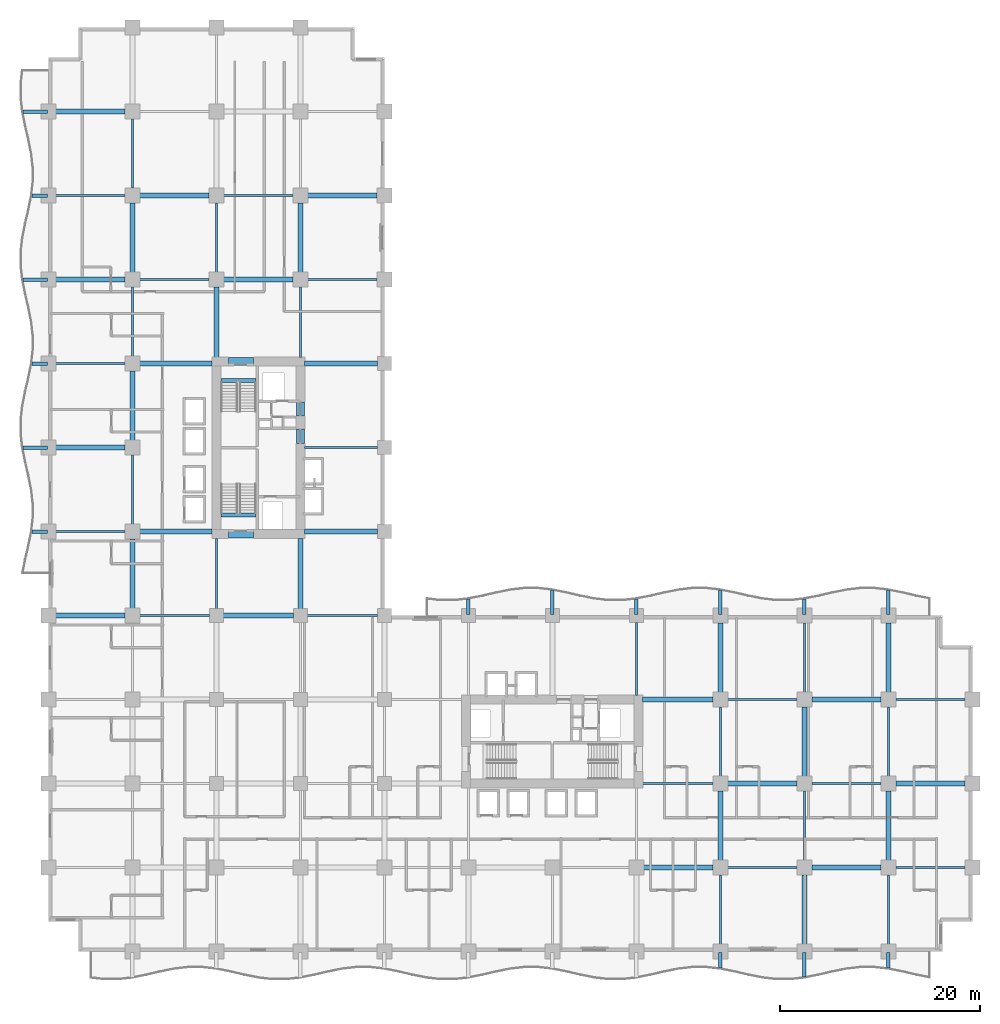
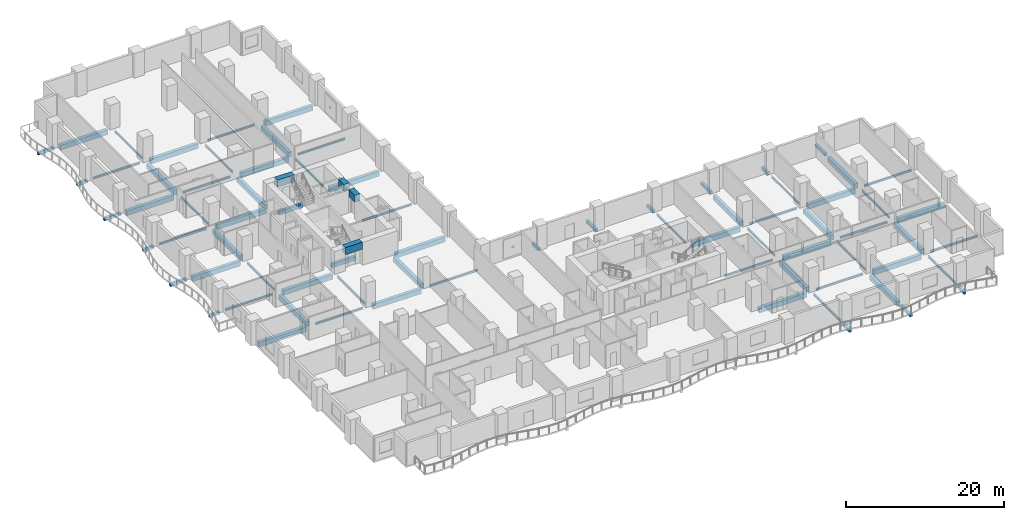
# One storey, part 2 of 22: 79 beams.
"""IFC4 building model written with IfcOpenShell, lengths in metres."""

from ifc_helpers import new_model, si_unit, direction, frame, origin, origin_2d, place, context, subcontext, project, spatial, rectangle, i_section, extrude, material, material_profile, profile_set, type_object, element, save


model = new_model("IFC4")

# Units and contexts
model_context = context("Model", 3, precision=1e-05, world=origin(), true_north=direction((0.0, 1.0)))
body_context = subcontext(model_context, "Body", "Model", "MODEL_VIEW")
ifc_project = project(units=[si_unit("LENGTHUNIT", "METRE"), si_unit("AREAUNIT", "SQUARE_METRE"), si_unit("VOLUMEUNIT", "CUBIC_METRE"), si_unit("PLANEANGLEUNIT", "RADIAN"), si_unit("MASSUNIT", "GRAM", prefix="KILO")], contexts=[model_context])

# Site, building, storey
site_placement = place(None, origin())
site = spatial("IfcSite", under=ifc_project, at=site_placement, CompositionType="ELEMENT")
building_placement = place(site_placement, origin())
building = spatial("IfcBuilding", under=site, at=building_placement, Name="Koriwani Terraces Tower", CompositionType="ELEMENT")
storey_placement = place(building_placement, frame((0.0, 0.0, 51.0)))
storey = spatial("IfcBuildingStorey", under=building, at=storey_placement, Name="L11", CompositionType="ELEMENT", Elevation=51.0)

# Beams
ifc_material_1 = material(Name="Concrete C40/50", Category="concrete")
ifc_material_profile_1 = material_profile(ifc_material_1, rectangle(XDim=0.35009765625, YDim=0.449951171875, at=origin_2d()), Name="Concrete C40/50", Category="LoadBearing")
ifc_profile_set_1 = profile_set([ifc_material_profile_1], Name="Concrete C40/50")
beam_type_1 = type_object("IfcBeamType", Name="BEAM_RC_BALCONY_RIB_350X450", PredefinedType="JOIST", material=ifc_profile_set_1)
beam_1_placement = place(storey_placement, frame((67.199951171875, -1.633056640625, -0.47509765625), z_axis=(0.0, 1.0, 0.0), x_axis=(-1.0, 0.0, 0.0)))
element("IfcBeam", 1, at=beam_1_placement, inside=storey, type_object=beam_type_1, Name="L11 Balcony Bracket Rib S-8", PredefinedType="JOIST", context=body_context, shape_type="SweptSolid", body=[
    extrude(rectangle(XDim=0.35009765625, YDim=0.449951171875, at=origin_2d()), origin(), (0.0, 0.0, 1.0), 1.532958984375),
])
beam_2_placement = place(storey_placement, frame((75.60009765625, -2.516845703125, -0.47509765625), z_axis=(0.0, 1.0, 0.0), x_axis=(-1.0, 0.0, 0.0)))
element("IfcBeam", 2, at=beam_2_placement, inside=storey, type_object=beam_type_1, Name="L11 Balcony Bracket Rib S-9", PredefinedType="JOIST", context=body_context, shape_type="SweptSolid", body=[
    extrude(rectangle(XDim=0.35009765625, YDim=0.449951171875, at=origin_2d()), origin(), (0.0, 0.0, 1.0), 2.416748046875),
])
for number, where, z_axis, x_axis, name in (
    (3, (84.0, -1.633056640625, -0.47509765625), (0.0, 1.0, 0.0), (-1.0, 0.0, 0.0), "L11 Balcony Bracket Rib S-10"),
    (4, (-1.633056640625, 42.0, -0.47509765625), (1.0, 0.0, 0.0), (0.0, 1.0, 0.0), "L11 Balcony Bracket Rib W-1"),
):
    element("IfcBeam", number, at=place(storey_placement, frame(where, z_axis=z_axis, x_axis=x_axis)), inside=storey, type_object=beam_type_1, Name=name, PredefinedType="JOIST", context=body_context, shape_type="SweptSolid", body=[
        extrude(rectangle(XDim=0.35009765625, YDim=0.449951171875, at=origin_2d()), origin(), (0.0, 0.0, 1.0), 1.532958984375),
    ])
beam_3_placement = place(storey_placement, frame((-2.516845703125, 50.39990234375, -0.47509765625), z_axis=(1.0, 0.0, 0.0), x_axis=(0.0, 1.0, 0.0)))
element("IfcBeam", 5, at=beam_3_placement, inside=storey, type_object=beam_type_1, Name="L11 Balcony Bracket Rib W-2", PredefinedType="JOIST", context=body_context, shape_type="SweptSolid", body=[
    extrude(rectangle(XDim=0.35009765625, YDim=0.449951171875, at=origin_2d()), origin(), (0.0, 0.0, 1.0), 2.416748046875),
])
beam_4_placement = place(storey_placement, frame((-1.633056640625, 58.800048828125, -0.47509765625), z_axis=(1.0, 0.0, 0.0), x_axis=(0.0, 1.0, 0.0)))
element("IfcBeam", 6, at=beam_4_placement, inside=storey, type_object=beam_type_1, Name="L11 Balcony Bracket Rib W-3", PredefinedType="JOIST", context=body_context, shape_type="SweptSolid", body=[
    extrude(rectangle(XDim=0.35009765625, YDim=0.449951171875, at=origin_2d()), origin(), (0.0, 0.0, 1.0), 1.532958984375),
])
beam_5_placement = place(storey_placement, frame((-2.516845703125, 67.199951171875, -0.47509765625), z_axis=(1.0, 0.0, 0.0), x_axis=(0.0, 1.0, 0.0)))
element("IfcBeam", 7, at=beam_5_placement, inside=storey, type_object=beam_type_1, Name="L11 Balcony Bracket Rib W-4", PredefinedType="JOIST", context=body_context, shape_type="SweptSolid", body=[
    extrude(rectangle(XDim=0.35009765625, YDim=0.449951171875, at=origin_2d()), origin(), (0.0, 0.0, 1.0), 2.416748046875),
])
beam_6_placement = place(storey_placement, frame((-1.633056640625, 75.60009765625, -0.47509765625), z_axis=(1.0, 0.0, 0.0), x_axis=(0.0, 1.0, 0.0)))
element("IfcBeam", 8, at=beam_6_placement, inside=storey, type_object=beam_type_1, Name="L11 Balcony Bracket Rib W-5", PredefinedType="JOIST", context=body_context, shape_type="SweptSolid", body=[
    extrude(rectangle(XDim=0.35009765625, YDim=0.449951171875, at=origin_2d()), origin(), (0.0, 0.0, 1.0), 1.532958984375),
])
beam_7_placement = place(storey_placement, frame((-2.516845703125, 84.0, -0.47509765625), z_axis=(1.0, 0.0, 0.0), x_axis=(0.0, 1.0, 0.0)))
element("IfcBeam", 9, at=beam_7_placement, inside=storey, type_object=beam_type_1, Name="L11 Balcony Bracket Rib W-6", PredefinedType="JOIST", context=body_context, shape_type="SweptSolid", body=[
    extrude(rectangle(XDim=0.35009765625, YDim=0.449951171875, at=origin_2d()), origin(), (0.0, 0.0, 1.0), 2.416748046875),
])
beam_8_placement = place(storey_placement, frame((42.0, 33.699951171875, -0.47509765625), z_axis=(0.0, 1.0, 0.0), x_axis=(-1.0, 0.0, 0.0)))
element("IfcBeam", 10, at=beam_8_placement, inside=storey, type_object=beam_type_1, Name="L11 Balcony Bracket Rib NE-1", PredefinedType="JOIST", context=body_context, shape_type="SweptSolid", body=[
    extrude(rectangle(XDim=0.35009765625, YDim=0.449951171875, at=origin_2d()), origin(), (0.0, 0.0, 1.0), 1.533203125),
])
beam_9_placement = place(storey_placement, frame((50.39990234375, 33.699951171875, -0.47509765625), z_axis=(0.0, 1.0, 0.0), x_axis=(-1.0, 0.0, 0.0)))
element("IfcBeam", 11, at=beam_9_placement, inside=storey, type_object=beam_type_1, Name="L11 Balcony Bracket Rib NE-2", PredefinedType="JOIST", context=body_context, shape_type="SweptSolid", body=[
    extrude(rectangle(XDim=0.35009765625, YDim=0.449951171875, at=origin_2d()), origin(), (0.0, 0.0, 1.0), 2.4169921875),
])
beam_10_placement = place(storey_placement, frame((58.800048828125, 33.699951171875, -0.47509765625), z_axis=(0.0, 1.0, 0.0), x_axis=(-1.0, 0.0, 0.0)))
element("IfcBeam", 12, at=beam_10_placement, inside=storey, type_object=beam_type_1, Name="L11 Balcony Bracket Rib NE-3", PredefinedType="JOIST", context=body_context, shape_type="SweptSolid", body=[
    extrude(rectangle(XDim=0.35009765625, YDim=0.449951171875, at=origin_2d()), origin(), (0.0, 0.0, 1.0), 1.533203125),
])
beam_11_placement = place(storey_placement, frame((67.199951171875, 33.699951171875, -0.47509765625), z_axis=(0.0, 1.0, 0.0), x_axis=(-1.0, 0.0, 0.0)))
element("IfcBeam", 13, at=beam_11_placement, inside=storey, type_object=beam_type_1, Name="L11 Balcony Bracket Rib NE-4", PredefinedType="JOIST", context=body_context, shape_type="SweptSolid", body=[
    extrude(rectangle(XDim=0.35009765625, YDim=0.449951171875, at=origin_2d()), origin(), (0.0, 0.0, 1.0), 2.4169921875),
])
beam_12_placement = place(storey_placement, frame((75.60009765625, 33.699951171875, -0.47509765625), z_axis=(0.0, 1.0, 0.0), x_axis=(-1.0, 0.0, 0.0)))
element("IfcBeam", 14, at=beam_12_placement, inside=storey, type_object=beam_type_1, Name="L11 Balcony Bracket Rib NE-5", PredefinedType="JOIST", context=body_context, shape_type="SweptSolid", body=[
    extrude(rectangle(XDim=0.35009765625, YDim=0.449951171875, at=origin_2d()), origin(), (0.0, 0.0, 1.0), 1.533203125),
])
beam_13_placement = place(storey_placement, frame((84.0, 33.699951171875, -0.47509765625), z_axis=(0.0, 1.0, 0.0), x_axis=(-1.0, 0.0, 0.0)))
element("IfcBeam", 15, at=beam_13_placement, inside=storey, type_object=beam_type_1, Name="L11 Balcony Bracket Rib NE-6", PredefinedType="JOIST", context=body_context, shape_type="SweptSolid", body=[
    extrude(rectangle(XDim=0.35009765625, YDim=0.449951171875, at=origin_2d()), origin(), (0.0, 0.0, 1.0), 2.4169921875),
])
ifc_material_2 = material(Name="Concrete C60/75", Category="concrete")
ifc_material_profile_2 = material_profile(ifc_material_2, rectangle(XDim=0.800048828125, YDim=1.10009765625, at=origin_2d()), Name="Concrete C60/75", Category="LoadBearing")
ifc_profile_set_2 = profile_set([ifc_material_profile_2], Name="Concrete C60/75")
beam_type_2 = type_object("IfcBeamType", Name="BEAM_RC_COUPLING_800X1100", PredefinedType="LINTEL", material=ifc_profile_set_2)
beam_14_placement = place(storey_placement, frame((25.199951171875, 50.800048828125, 3.0), z_axis=(0.0, 1.0, 0.0), x_axis=(-1.0, 0.0, 0.0)))
element("IfcBeam", 16, at=beam_14_placement, inside=storey, type_object=beam_type_2, Name="L11 Core Coupling Lintel Beam WE1", PredefinedType="LINTEL", context=body_context, shape_type="SweptSolid", body=[
    extrude(rectangle(XDim=0.800048828125, YDim=1.10009765625, at=origin_2d()), origin(), (0.0, 0.0, 1.0), 1.47998046875),
])
beam_15_placement = place(storey_placement, frame((25.199951171875, 53.550048828125, 3.0), z_axis=(0.0, 1.0, 0.0), x_axis=(-1.0, 0.0, 0.0)))
element("IfcBeam", 17, at=beam_15_placement, inside=storey, type_object=beam_type_2, Name="L11 Core Coupling Lintel Beam WE2", PredefinedType="LINTEL", context=body_context, shape_type="SweptSolid", body=[
    extrude(rectangle(XDim=0.800048828125, YDim=1.10009765625, at=origin_2d()), origin(), (0.0, 0.0, 1.0), 1.39990234375),
])
for number, where, z_axis, x_axis, name in (
    (18, (18.0, 41.75, 3.0), (1.0, 0.0, 0.0), (0.0, 1.0, 0.0), "L11 Core Coupling Lintel Beam WS"),
    (19, (18.0, 59.0, 3.0), (1.0, 0.0, 0.0), (0.0, 1.0, 0.0), "L11 Core Coupling Lintel Beam WN"),
):
    element("IfcBeam", number, at=place(storey_placement, frame(where, z_axis=z_axis, x_axis=x_axis)), inside=storey, type_object=beam_type_2, Name=name, PredefinedType="LINTEL", context=body_context, shape_type="SweptSolid", body=[
        extrude(rectangle(XDim=0.800048828125, YDim=1.10009765625, at=origin_2d()), origin(), (0.0, 0.0, 1.0), 2.5),
    ])
ifc_material_profile_3 = material_profile(ifc_material_1, rectangle(XDim=0.39990234375, YDim=0.60009765625, at=origin_2d()), Name="Concrete C40/50", Category="LoadBearing")
ifc_profile_set_3 = profile_set([ifc_material_profile_3], Name="Concrete C40/50")
beam_type_3 = type_object("IfcBeamType", Name="BEAM_RC_GRID_400X600", PredefinedType="BEAM", material=ifc_profile_set_3)
for number, where, z_axis, x_axis, name in (
    (20, (17.25, 43.655029296875, -0.300048828125), (1.0, 0.0, 0.0), (0.0, 1.0, 0.0), "L11 Stairwell Header Trimmer Beam ST-W1"),
    (21, (17.25, 57.094970703125, -0.300048828125), (1.0, 0.0, 0.0), (0.0, 1.0, 0.0), "L11 Stairwell Header Trimmer Beam ST-W2"),
):
    element("IfcBeam", number, at=place(storey_placement, frame(where, z_axis=z_axis, x_axis=x_axis)), inside=storey, type_object=beam_type_3, Name=name, PredefinedType="BEAM", context=body_context, shape_type="SweptSolid", body=[
        extrude(rectangle(XDim=0.39990234375, YDim=0.60009765625, at=origin_2d()), origin(), (0.0, 0.0, 1.0), 3.5),
    ])
ifc_material_3 = material(Name="Concrete C50/60", Category="concrete")
ifc_material_profile_4 = material_profile(ifc_material_3, rectangle(XDim=0.5, YDim=0.75, at=origin_2d()), Name="Concrete C50/60", Category="LoadBearing")
ifc_profile_set_4 = profile_set([ifc_material_profile_4], Name="Concrete C50/60")
beam_type_4 = type_object("IfcBeamType", Name="BEAM_RC_GRID_500X750", PredefinedType="BEAM", material=ifc_profile_set_4)
for number, where, z_axis, x_axis, name in (
    (22, (59.530029296875, 8.39990234375, -0.625), (1.0, 0.0, 0.0), (0.0, 1.0, 0.0), "L11 Grid Beam B (58.8-67.2m)"),
    (23, (76.330078125, 8.39990234375, -0.625), (1.0, 0.0, 0.0), (0.0, 1.0, 0.0), "L11 Grid Beam B (75.6-84.0m)"),
):
    element("IfcBeam", number, at=place(storey_placement, frame(where, z_axis=z_axis, x_axis=x_axis)), inside=storey, type_object=beam_type_4, Name=name, PredefinedType="BEAM", context=body_context, shape_type="SweptSolid", body=[
        extrude(rectangle(XDim=0.5, YDim=0.75, at=origin_2d()), origin(), (0.0, 0.0, 1.0), 6.93994140625),
    ])
beam_16_placement = place(storey_placement, frame((67.929931640625, 16.800048828125, -0.625), z_axis=(1.0, 0.0, 0.0), x_axis=(0.0, 1.0, 0.0)))
element("IfcBeam", 24, at=beam_16_placement, inside=storey, type_object=beam_type_4, Name="L11 Grid Beam C (67.2-75.6m)", PredefinedType="BEAM", context=body_context, shape_type="SweptSolid", body=[
    extrude(rectangle(XDim=0.5, YDim=0.75, at=origin_2d()), origin(), (0.0, 0.0, 1.0), 6.940185546875),
])
beam_17_placement = place(storey_placement, frame((84.72998046875, 16.800048828125, -0.625), z_axis=(1.0, 0.0, 0.0), x_axis=(0.0, 1.0, 0.0)))
element("IfcBeam", 25, at=beam_17_placement, inside=storey, type_object=beam_type_4, Name="L11 Grid Beam C (84.0-92.4m)", PredefinedType="BEAM", context=body_context, shape_type="SweptSolid", body=[
    extrude(rectangle(XDim=0.5, YDim=0.75, at=origin_2d()), origin(), (0.0, 0.0, 1.0), 6.93994140625),
])
beam_18_placement = place(storey_placement, frame((59.429931640625, 25.199951171875, -0.625), z_axis=(1.0, 0.0, 0.0), x_axis=(0.0, 1.0, 0.0)))
element("IfcBeam", 26, at=beam_18_placement, inside=storey, type_object=beam_type_4, Name="L11 Grid Beam D (58.8-67.2m)", PredefinedType="BEAM", context=body_context, shape_type="SweptSolid", body=[
    extrude(rectangle(XDim=0.5, YDim=0.75, at=origin_2d()), origin(), (0.0, 0.0, 1.0), 7.0400390625),
])
for number, where, z_axis, x_axis, name in (
    (27, (76.330078125, 25.199951171875, -0.625), (1.0, 0.0, 0.0), (0.0, 1.0, 0.0), "L11 Grid Beam D (75.6-84.0m)"),
    (28, (0.72998046875, 33.60009765625, -0.625), (1.0, 0.0, 0.0), (0.0, 1.0, 0.0), "L11 Grid Beam E (0.0-8.4m)"),
):
    element("IfcBeam", number, at=place(storey_placement, frame(where, z_axis=z_axis, x_axis=x_axis)), inside=storey, type_object=beam_type_4, Name=name, PredefinedType="BEAM", context=body_context, shape_type="SweptSolid", body=[
        extrude(rectangle(XDim=0.5, YDim=0.75, at=origin_2d()), origin(), (0.0, 0.0, 1.0), 6.93994140625),
    ])
beam_19_placement = place(storey_placement, frame((17.47998046875, 33.60009765625, -0.625), z_axis=(1.0, 0.0, 0.0), x_axis=(0.0, 1.0, 0.0)))
element("IfcBeam", 29, at=beam_19_placement, inside=storey, type_object=beam_type_4, Name="L11 Grid Beam E (16.8-25.2m)", PredefinedType="BEAM", context=body_context, shape_type="SweptSolid", body=[
    extrude(rectangle(XDim=0.5, YDim=0.75, at=origin_2d()), origin(), (0.0, 0.0, 1.0), 7.0400390625),
])
beam_20_placement = place(storey_placement, frame((9.1298828125, 42.0, -0.625), z_axis=(1.0, 0.0, 0.0), x_axis=(0.0, 1.0, 0.0)))
element("IfcBeam", 30, at=beam_20_placement, inside=storey, type_object=beam_type_4, Name="L11 Grid Beam F (8.4-16.8m)", PredefinedType="BEAM", context=body_context, shape_type="SweptSolid", body=[
    extrude(rectangle(XDim=0.5, YDim=0.75, at=origin_2d()), origin(), (0.0, 0.0, 1.0), 7.240234375),
])
beam_21_placement = place(storey_placement, frame((25.6298828125, 42.0, -0.625), z_axis=(1.0, 0.0, 0.0), x_axis=(0.0, 1.0, 0.0)))
element("IfcBeam", 31, at=beam_21_placement, inside=storey, type_object=beam_type_4, Name="L11 Grid Beam F (25.2-33.6m)", PredefinedType="BEAM", context=body_context, shape_type="SweptSolid", body=[
    extrude(rectangle(XDim=0.5, YDim=0.75, at=origin_2d()), origin(), (0.0, 0.0, 1.0), 7.2900390625),
])
beam_22_placement = place(storey_placement, frame((0.72998046875, 50.39990234375, -0.625), z_axis=(1.0, 0.0, 0.0), x_axis=(0.0, 1.0, 0.0)))
element("IfcBeam", 32, at=beam_22_placement, inside=storey, type_object=beam_type_4, Name="L11 Grid Beam G (0.0-8.4m)", PredefinedType="BEAM", context=body_context, shape_type="SweptSolid", body=[
    extrude(rectangle(XDim=0.5, YDim=0.75, at=origin_2d()), origin(), (0.0, 0.0, 1.0), 6.93994140625),
])
beam_23_placement = place(storey_placement, frame((9.1298828125, 58.800048828125, -0.625), z_axis=(1.0, 0.0, 0.0), x_axis=(0.0, 1.0, 0.0)))
element("IfcBeam", 33, at=beam_23_placement, inside=storey, type_object=beam_type_4, Name="L11 Grid Beam H (8.4-16.8m)", PredefinedType="BEAM", context=body_context, shape_type="SweptSolid", body=[
    extrude(rectangle(XDim=0.5, YDim=0.75, at=origin_2d()), origin(), (0.0, 0.0, 1.0), 7.240234375),
])
beam_24_placement = place(storey_placement, frame((25.6298828125, 58.800048828125, -0.625), z_axis=(1.0, 0.0, 0.0), x_axis=(0.0, 1.0, 0.0)))
element("IfcBeam", 34, at=beam_24_placement, inside=storey, type_object=beam_type_4, Name="L11 Grid Beam H (25.2-33.6m)", PredefinedType="BEAM", context=body_context, shape_type="SweptSolid", body=[
    extrude(rectangle(XDim=0.5, YDim=0.75, at=origin_2d()), origin(), (0.0, 0.0, 1.0), 7.2900390625),
])
for number, where, z_axis, x_axis, name in (
    (35, (0.72998046875, 67.199951171875, -0.625), (1.0, 0.0, 0.0), (0.0, 1.0, 0.0), "L11 Grid Beam I (0.0-8.4m)"),
    (36, (17.530029296875, 67.199951171875, -0.625), (1.0, 0.0, 0.0), (0.0, 1.0, 0.0), "L11 Grid Beam I (16.8-25.2m)"),
):
    element("IfcBeam", number, at=place(storey_placement, frame(where, z_axis=z_axis, x_axis=x_axis)), inside=storey, type_object=beam_type_4, Name=name, PredefinedType="BEAM", context=body_context, shape_type="SweptSolid", body=[
        extrude(rectangle(XDim=0.5, YDim=0.75, at=origin_2d()), origin(), (0.0, 0.0, 1.0), 6.93994140625),
    ])
for number, where, z_axis, x_axis, name in (
    (37, (9.1298828125, 75.60009765625, -0.625), (1.0, 0.0, 0.0), (0.0, 1.0, 0.0), "L11 Grid Beam J (8.4-16.8m)"),
    (38, (25.929931640625, 75.60009765625, -0.625), (1.0, 0.0, 0.0), (0.0, 1.0, 0.0), "L11 Grid Beam J (25.2-33.6m)"),
):
    element("IfcBeam", number, at=place(storey_placement, frame(where, z_axis=z_axis, x_axis=x_axis)), inside=storey, type_object=beam_type_4, Name=name, PredefinedType="BEAM", context=body_context, shape_type="SweptSolid", body=[
        extrude(rectangle(XDim=0.5, YDim=0.75, at=origin_2d()), origin(), (0.0, 0.0, 1.0), 6.940185546875),
    ])
for number, where, z_axis, x_axis, name in (
    (39, (0.72998046875, 84.0, -0.625), (1.0, 0.0, 0.0), (0.0, 1.0, 0.0), "L11 Grid Beam K (0.0-8.4m)"),
    (40, (8.39990234375, 34.330078125, -0.625), (0.0, 1.0, 0.0), (-1.0, 0.0, 0.0), "L11 Grid Beam 2 (33.6-42.0m)"),
):
    element("IfcBeam", number, at=place(storey_placement, frame(where, z_axis=z_axis, x_axis=x_axis)), inside=storey, type_object=beam_type_4, Name=name, PredefinedType="BEAM", context=body_context, shape_type="SweptSolid", body=[
        extrude(rectangle(XDim=0.5, YDim=0.75, at=origin_2d()), origin(), (0.0, 0.0, 1.0), 6.93994140625),
    ])
for number, where, z_axis, x_axis, name in (
    (41, (8.39990234375, 51.1298828125, -0.625), (0.0, 1.0, 0.0), (-1.0, 0.0, 0.0), "L11 Grid Beam 2 (50.4-58.8m)"),
    (42, (8.39990234375, 67.929931640625, -0.625), (0.0, 1.0, 0.0), (-1.0, 0.0, 0.0), "L11 Grid Beam 2 (67.2-75.6m)"),
):
    element("IfcBeam", number, at=place(storey_placement, frame(where, z_axis=z_axis, x_axis=x_axis)), inside=storey, type_object=beam_type_4, Name=name, PredefinedType="BEAM", context=body_context, shape_type="SweptSolid", body=[
        extrude(rectangle(XDim=0.5, YDim=0.75, at=origin_2d()), origin(), (0.0, 0.0, 1.0), 6.940185546875),
    ])
for number, where, z_axis, x_axis, name in (
    (43, (16.800048828125, 59.429931640625, -0.625), (0.0, 1.0, 0.0), (-1.0, 0.0, 0.0), "L11 Grid Beam 3 (58.8-67.2m)"),
    (44, (25.199951171875, 34.280029296875, -0.625), (0.0, 1.0, 0.0), (-1.0, 0.0, 0.0), "L11 Grid Beam 4 (33.6-42.0m)"),
):
    element("IfcBeam", number, at=place(storey_placement, frame(where, z_axis=z_axis, x_axis=x_axis)), inside=storey, type_object=beam_type_4, Name=name, PredefinedType="BEAM", context=body_context, shape_type="SweptSolid", body=[
        extrude(rectangle(XDim=0.5, YDim=0.75, at=origin_2d()), origin(), (0.0, 0.0, 1.0), 7.0400390625),
    ])
for number, where, z_axis, x_axis, name in (
    (45, (25.199951171875, 67.929931640625, -0.625), (0.0, 1.0, 0.0), (-1.0, 0.0, 0.0), "L11 Grid Beam 4 (67.2-75.6m)"),
    (46, (67.199951171875, 9.1298828125, -0.625), (0.0, 1.0, 0.0), (-1.0, 0.0, 0.0), "L11 Grid Beam 9 (8.4-16.8m)"),
    (47, (67.199951171875, 25.929931640625, -0.625), (0.0, 1.0, 0.0), (-1.0, 0.0, 0.0), "L11 Grid Beam 9 (25.2-33.6m)"),
):
    element("IfcBeam", number, at=place(storey_placement, frame(where, z_axis=z_axis, x_axis=x_axis)), inside=storey, type_object=beam_type_4, Name=name, PredefinedType="BEAM", context=body_context, shape_type="SweptSolid", body=[
        extrude(rectangle(XDim=0.5, YDim=0.75, at=origin_2d()), origin(), (0.0, 0.0, 1.0), 6.940185546875),
    ])
for number, where, z_axis, x_axis, name in (
    (48, (75.60009765625, 0.72998046875, -0.625), (0.0, 1.0, 0.0), (-1.0, 0.0, 0.0), "L11 Grid Beam 10 (0.0-8.4m)"),
    (49, (75.60009765625, 17.530029296875, -0.625), (0.0, 1.0, 0.0), (-1.0, 0.0, 0.0), "L11 Grid Beam 10 (16.8-25.2m)"),
):
    element("IfcBeam", number, at=place(storey_placement, frame(where, z_axis=z_axis, x_axis=x_axis)), inside=storey, type_object=beam_type_4, Name=name, PredefinedType="BEAM", context=body_context, shape_type="SweptSolid", body=[
        extrude(rectangle(XDim=0.5, YDim=0.75, at=origin_2d()), origin(), (0.0, 0.0, 1.0), 6.93994140625),
    ])
for number, where, z_axis, x_axis, name in (
    (50, (84.0, 9.1298828125, -0.625), (0.0, 1.0, 0.0), (-1.0, 0.0, 0.0), "L11 Grid Beam 11 (8.4-16.8m)"),
    (51, (84.0, 25.929931640625, -0.625), (0.0, 1.0, 0.0), (-1.0, 0.0, 0.0), "L11 Grid Beam 11 (25.2-33.6m)"),
):
    element("IfcBeam", number, at=place(storey_placement, frame(where, z_axis=z_axis, x_axis=x_axis)), inside=storey, type_object=beam_type_4, Name=name, PredefinedType="BEAM", context=body_context, shape_type="SweptSolid", body=[
        extrude(rectangle(XDim=0.5, YDim=0.75, at=origin_2d()), origin(), (0.0, 0.0, 1.0), 6.940185546875),
    ])
ifc_material_4 = material(Name="Steel ASTM A572 Grade 50", Category="steel")
ifc_material_profile_5 = material_profile(ifc_material_4, i_section(OverallWidth=0.205078125, OverallDepth=0.31005859375, WebThickness=0.009521484375, FlangeThickness=0.016357421875, at=origin_2d()), Name="Steel ASTM A572 Grade 50", Category="LoadBearing")
ifc_profile_set_5 = profile_set([ifc_material_profile_5], Name="Steel ASTM A572 Grade 50")
beam_type_5 = type_object("IfcBeamType", Name="STEEL_BEAM_W310X74", PredefinedType="JOIST", material=ifc_profile_set_5)
beam_25_placement = place(storey_placement, frame((67.929931640625, 8.39990234375, -0.405029296875), z_axis=(1.0, 0.0, 0.0), x_axis=(0.0, 1.0, 0.0)))
element("IfcBeam", 52, at=beam_25_placement, inside=storey, type_object=beam_type_5, Name="L11 Grid Beam B (67.2-75.6m)", PredefinedType="JOIST", context=body_context, shape_type="SweptSolid", body=[
    extrude(i_section(OverallWidth=0.205078125, OverallDepth=0.31005859375, WebThickness=0.009521484375, FlangeThickness=0.016357421875, at=origin_2d()), origin(), (0.0, 0.0, 1.0), 6.940185546875),
])
beam_26_placement = place(storey_placement, frame((84.72998046875, 8.39990234375, -0.405029296875), z_axis=(1.0, 0.0, 0.0), x_axis=(0.0, 1.0, 0.0)))
element("IfcBeam", 53, at=beam_26_placement, inside=storey, type_object=beam_type_5, Name="L11 Grid Beam B (84.0-92.4m)", PredefinedType="JOIST", context=body_context, shape_type="SweptSolid", body=[
    extrude(i_section(OverallWidth=0.205078125, OverallDepth=0.31005859375, WebThickness=0.009521484375, FlangeThickness=0.016357421875, at=origin_2d()), origin(), (0.0, 0.0, 1.0), 6.93994140625),
])
beam_27_placement = place(storey_placement, frame((59.429931640625, 16.800048828125, -0.405029296875), z_axis=(1.0, 0.0, 0.0), x_axis=(0.0, 1.0, 0.0)))
element("IfcBeam", 54, at=beam_27_placement, inside=storey, type_object=beam_type_5, Name="L11 Grid Beam C (58.8-67.2m)", PredefinedType="JOIST", context=body_context, shape_type="SweptSolid", body=[
    extrude(i_section(OverallWidth=0.205078125, OverallDepth=0.31005859375, WebThickness=0.009521484375, FlangeThickness=0.016357421875, at=origin_2d()), origin(), (0.0, 0.0, 1.0), 7.0400390625),
])
beam_28_placement = place(storey_placement, frame((76.330078125, 16.800048828125, -0.405029296875), z_axis=(1.0, 0.0, 0.0), x_axis=(0.0, 1.0, 0.0)))
element("IfcBeam", 55, at=beam_28_placement, inside=storey, type_object=beam_type_5, Name="L11 Grid Beam C (75.6-84.0m)", PredefinedType="JOIST", context=body_context, shape_type="SweptSolid", body=[
    extrude(i_section(OverallWidth=0.205078125, OverallDepth=0.31005859375, WebThickness=0.009521484375, FlangeThickness=0.016357421875, at=origin_2d()), origin(), (0.0, 0.0, 1.0), 6.93994140625),
])
beam_29_placement = place(storey_placement, frame((67.929931640625, 25.199951171875, -0.405029296875), z_axis=(1.0, 0.0, 0.0), x_axis=(0.0, 1.0, 0.0)))
element("IfcBeam", 56, at=beam_29_placement, inside=storey, type_object=beam_type_5, Name="L11 Grid Beam D (67.2-75.6m)", PredefinedType="JOIST", context=body_context, shape_type="SweptSolid", body=[
    extrude(i_section(OverallWidth=0.205078125, OverallDepth=0.31005859375, WebThickness=0.009521484375, FlangeThickness=0.016357421875, at=origin_2d()), origin(), (0.0, 0.0, 1.0), 6.940185546875),
])
beam_30_placement = place(storey_placement, frame((84.72998046875, 25.199951171875, -0.405029296875), z_axis=(1.0, 0.0, 0.0), x_axis=(0.0, 1.0, 0.0)))
element("IfcBeam", 57, at=beam_30_placement, inside=storey, type_object=beam_type_5, Name="L11 Grid Beam D (84.0-92.4m)", PredefinedType="JOIST", context=body_context, shape_type="SweptSolid", body=[
    extrude(i_section(OverallWidth=0.205078125, OverallDepth=0.31005859375, WebThickness=0.009521484375, FlangeThickness=0.016357421875, at=origin_2d()), origin(), (0.0, 0.0, 1.0), 6.93994140625),
])
beam_31_placement = place(storey_placement, frame((9.1298828125, 33.60009765625, -0.405029296875), z_axis=(1.0, 0.0, 0.0), x_axis=(0.0, 1.0, 0.0)))
element("IfcBeam", 58, at=beam_31_placement, inside=storey, type_object=beam_type_5, Name="L11 Grid Beam E (8.4-16.8m)", PredefinedType="JOIST", context=body_context, shape_type="SweptSolid", body=[
    extrude(i_section(OverallWidth=0.205078125, OverallDepth=0.31005859375, WebThickness=0.009521484375, FlangeThickness=0.016357421875, at=origin_2d()), origin(), (0.0, 0.0, 1.0), 6.990234375),
])
beam_32_placement = place(storey_placement, frame((25.8798828125, 33.60009765625, -0.405029296875), z_axis=(1.0, 0.0, 0.0), x_axis=(0.0, 1.0, 0.0)))
element("IfcBeam", 59, at=beam_32_placement, inside=storey, type_object=beam_type_5, Name="L11 Grid Beam E (25.2-33.6m)", PredefinedType="JOIST", context=body_context, shape_type="SweptSolid", body=[
    extrude(i_section(OverallWidth=0.205078125, OverallDepth=0.31005859375, WebThickness=0.009521484375, FlangeThickness=0.016357421875, at=origin_2d()), origin(), (0.0, 0.0, 1.0), 7.0400390625),
])
beam_33_placement = place(storey_placement, frame((0.72998046875, 42.0, -0.405029296875), z_axis=(1.0, 0.0, 0.0), x_axis=(0.0, 1.0, 0.0)))
element("IfcBeam", 60, at=beam_33_placement, inside=storey, type_object=beam_type_5, Name="L11 Grid Beam F (0.0-8.4m)", PredefinedType="JOIST", context=body_context, shape_type="SweptSolid", body=[
    extrude(i_section(OverallWidth=0.205078125, OverallDepth=0.31005859375, WebThickness=0.009521484375, FlangeThickness=0.016357421875, at=origin_2d()), origin(), (0.0, 0.0, 1.0), 6.93994140625),
])
beam_34_placement = place(storey_placement, frame((25.6298828125, 50.39990234375, -0.405029296875), z_axis=(1.0, 0.0, 0.0), x_axis=(0.0, 1.0, 0.0)))
element("IfcBeam", 61, at=beam_34_placement, inside=storey, type_object=beam_type_5, Name="L11 Grid Beam G (25.2-33.6m)", PredefinedType="JOIST", context=body_context, shape_type="SweptSolid", body=[
    extrude(i_section(OverallWidth=0.205078125, OverallDepth=0.31005859375, WebThickness=0.009521484375, FlangeThickness=0.016357421875, at=origin_2d()), origin(), (0.0, 0.0, 1.0), 7.2900390625),
])
beam_35_placement = place(storey_placement, frame((0.72998046875, 58.800048828125, -0.405029296875), z_axis=(1.0, 0.0, 0.0), x_axis=(0.0, 1.0, 0.0)))
element("IfcBeam", 62, at=beam_35_placement, inside=storey, type_object=beam_type_5, Name="L11 Grid Beam H (0.0-8.4m)", PredefinedType="JOIST", context=body_context, shape_type="SweptSolid", body=[
    extrude(i_section(OverallWidth=0.205078125, OverallDepth=0.31005859375, WebThickness=0.009521484375, FlangeThickness=0.016357421875, at=origin_2d()), origin(), (0.0, 0.0, 1.0), 6.93994140625),
])
for number, where, z_axis, x_axis, name in (
    (63, (9.1298828125, 67.199951171875, -0.405029296875), (1.0, 0.0, 0.0), (0.0, 1.0, 0.0), "L11 Grid Beam I (8.4-16.8m)"),
    (64, (25.929931640625, 67.199951171875, -0.405029296875), (1.0, 0.0, 0.0), (0.0, 1.0, 0.0), "L11 Grid Beam I (25.2-33.6m)"),
):
    element("IfcBeam", number, at=place(storey_placement, frame(where, z_axis=z_axis, x_axis=x_axis)), inside=storey, type_object=beam_type_5, Name=name, PredefinedType="JOIST", context=body_context, shape_type="SweptSolid", body=[
        extrude(i_section(OverallWidth=0.205078125, OverallDepth=0.31005859375, WebThickness=0.009521484375, FlangeThickness=0.016357421875, at=origin_2d()), origin(), (0.0, 0.0, 1.0), 6.940185546875),
    ])
for number, where, z_axis, x_axis, name in (
    (65, (0.72998046875, 75.60009765625, -0.405029296875), (1.0, 0.0, 0.0), (0.0, 1.0, 0.0), "L11 Grid Beam J (0.0-8.4m)"),
    (66, (17.530029296875, 75.60009765625, -0.405029296875), (1.0, 0.0, 0.0), (0.0, 1.0, 0.0), "L11 Grid Beam J (16.8-25.2m)"),
    (67, (8.39990234375, 42.72998046875, -0.405029296875), (0.0, 1.0, 0.0), (-1.0, 0.0, 0.0), "L11 Grid Beam 2 (42.0-50.4m)"),
    (68, (8.39990234375, 59.530029296875, -0.405029296875), (0.0, 1.0, 0.0), (-1.0, 0.0, 0.0), "L11 Grid Beam 2 (58.8-67.2m)"),
    (69, (8.39990234375, 76.330078125, -0.405029296875), (0.0, 1.0, 0.0), (-1.0, 0.0, 0.0), "L11 Grid Beam 2 (75.6-84.0m)"),
):
    element("IfcBeam", number, at=place(storey_placement, frame(where, z_axis=z_axis, x_axis=x_axis)), inside=storey, type_object=beam_type_5, Name=name, PredefinedType="JOIST", context=body_context, shape_type="SweptSolid", body=[
        extrude(i_section(OverallWidth=0.205078125, OverallDepth=0.31005859375, WebThickness=0.009521484375, FlangeThickness=0.016357421875, at=origin_2d()), origin(), (0.0, 0.0, 1.0), 6.93994140625),
    ])
beam_36_placement = place(storey_placement, frame((16.800048828125, 34.280029296875, -0.405029296875), z_axis=(0.0, 1.0, 0.0), x_axis=(-1.0, 0.0, 0.0)))
element("IfcBeam", 70, at=beam_36_placement, inside=storey, type_object=beam_type_5, Name="L11 Grid Beam 3 (33.6-42.0m)", PredefinedType="JOIST", context=body_context, shape_type="SweptSolid", body=[
    extrude(i_section(OverallWidth=0.205078125, OverallDepth=0.31005859375, WebThickness=0.009521484375, FlangeThickness=0.016357421875, at=origin_2d()), origin(), (0.0, 0.0, 1.0), 7.0400390625),
])
beam_37_placement = place(storey_placement, frame((16.800048828125, 67.929931640625, -0.405029296875), z_axis=(0.0, 1.0, 0.0), x_axis=(-1.0, 0.0, 0.0)))
element("IfcBeam", 71, at=beam_37_placement, inside=storey, type_object=beam_type_5, Name="L11 Grid Beam 3 (67.2-75.6m)", PredefinedType="JOIST", context=body_context, shape_type="SweptSolid", body=[
    extrude(i_section(OverallWidth=0.205078125, OverallDepth=0.31005859375, WebThickness=0.009521484375, FlangeThickness=0.016357421875, at=origin_2d()), origin(), (0.0, 0.0, 1.0), 6.940185546875),
])
beam_38_placement = place(storey_placement, frame((25.199951171875, 59.429931640625, -0.405029296875), z_axis=(0.0, 1.0, 0.0), x_axis=(-1.0, 0.0, 0.0)))
element("IfcBeam", 72, at=beam_38_placement, inside=storey, type_object=beam_type_5, Name="L11 Grid Beam 4 (58.8-67.2m)", PredefinedType="JOIST", context=body_context, shape_type="SweptSolid", body=[
    extrude(i_section(OverallWidth=0.205078125, OverallDepth=0.31005859375, WebThickness=0.009521484375, FlangeThickness=0.016357421875, at=origin_2d()), origin(), (0.0, 0.0, 1.0), 7.0400390625),
])
beam_39_placement = place(storey_placement, frame((58.800048828125, 25.6298828125, -0.405029296875), z_axis=(0.0, 1.0, 0.0), x_axis=(-1.0, 0.0, 0.0)))
element("IfcBeam", 73, at=beam_39_placement, inside=storey, type_object=beam_type_5, Name="L11 Grid Beam 8 (25.2-33.6m)", PredefinedType="JOIST", context=body_context, shape_type="SweptSolid", body=[
    extrude(i_section(OverallWidth=0.205078125, OverallDepth=0.31005859375, WebThickness=0.009521484375, FlangeThickness=0.016357421875, at=origin_2d()), origin(), (0.0, 0.0, 1.0), 7.2900390625),
])
for number, where, z_axis, x_axis, name in (
    (74, (67.199951171875, 0.72998046875, -0.405029296875), (0.0, 1.0, 0.0), (-1.0, 0.0, 0.0), "L11 Grid Beam 9 (0.0-8.4m)"),
    (75, (67.199951171875, 17.530029296875, -0.405029296875), (0.0, 1.0, 0.0), (-1.0, 0.0, 0.0), "L11 Grid Beam 9 (16.8-25.2m)"),
):
    element("IfcBeam", number, at=place(storey_placement, frame(where, z_axis=z_axis, x_axis=x_axis)), inside=storey, type_object=beam_type_5, Name=name, PredefinedType="JOIST", context=body_context, shape_type="SweptSolid", body=[
        extrude(i_section(OverallWidth=0.205078125, OverallDepth=0.31005859375, WebThickness=0.009521484375, FlangeThickness=0.016357421875, at=origin_2d()), origin(), (0.0, 0.0, 1.0), 6.93994140625),
    ])
for number, where, z_axis, x_axis, name in (
    (76, (75.60009765625, 9.1298828125, -0.405029296875), (0.0, 1.0, 0.0), (-1.0, 0.0, 0.0), "L11 Grid Beam 10 (8.4-16.8m)"),
    (77, (75.60009765625, 25.929931640625, -0.405029296875), (0.0, 1.0, 0.0), (-1.0, 0.0, 0.0), "L11 Grid Beam 10 (25.2-33.6m)"),
):
    element("IfcBeam", number, at=place(storey_placement, frame(where, z_axis=z_axis, x_axis=x_axis)), inside=storey, type_object=beam_type_5, Name=name, PredefinedType="JOIST", context=body_context, shape_type="SweptSolid", body=[
        extrude(i_section(OverallWidth=0.205078125, OverallDepth=0.31005859375, WebThickness=0.009521484375, FlangeThickness=0.016357421875, at=origin_2d()), origin(), (0.0, 0.0, 1.0), 6.940185546875),
    ])
for number, where, z_axis, x_axis, name in (
    (78, (84.0, 0.72998046875, -0.405029296875), (0.0, 1.0, 0.0), (-1.0, 0.0, 0.0), "L11 Grid Beam 11 (0.0-8.4m)"),
    (79, (84.0, 17.530029296875, -0.405029296875), (0.0, 1.0, 0.0), (-1.0, 0.0, 0.0), "L11 Grid Beam 11 (16.8-25.2m)"),
):
    element("IfcBeam", number, at=place(storey_placement, frame(where, z_axis=z_axis, x_axis=x_axis)), inside=storey, type_object=beam_type_5, Name=name, PredefinedType="JOIST", context=body_context, shape_type="SweptSolid", body=[
        extrude(i_section(OverallWidth=0.205078125, OverallDepth=0.31005859375, WebThickness=0.009521484375, FlangeThickness=0.016357421875, at=origin_2d()), origin(), (0.0, 0.0, 1.0), 6.93994140625),
    ])

save(model, "model.ifc")
